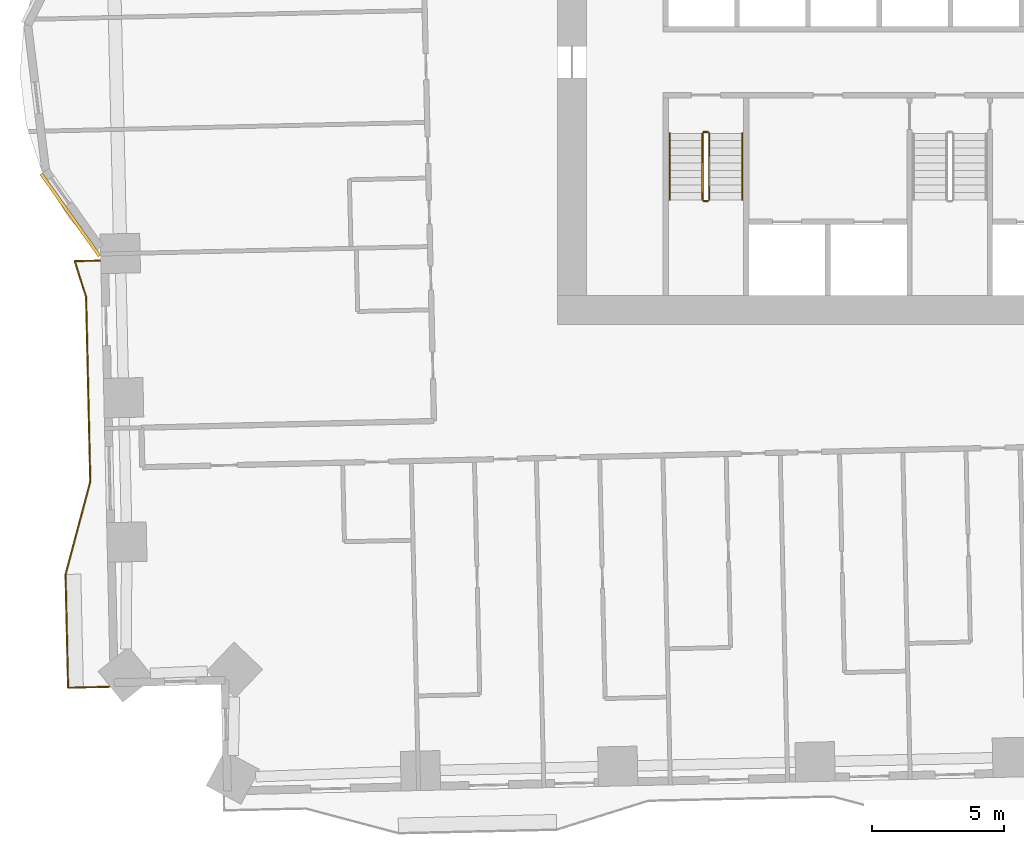
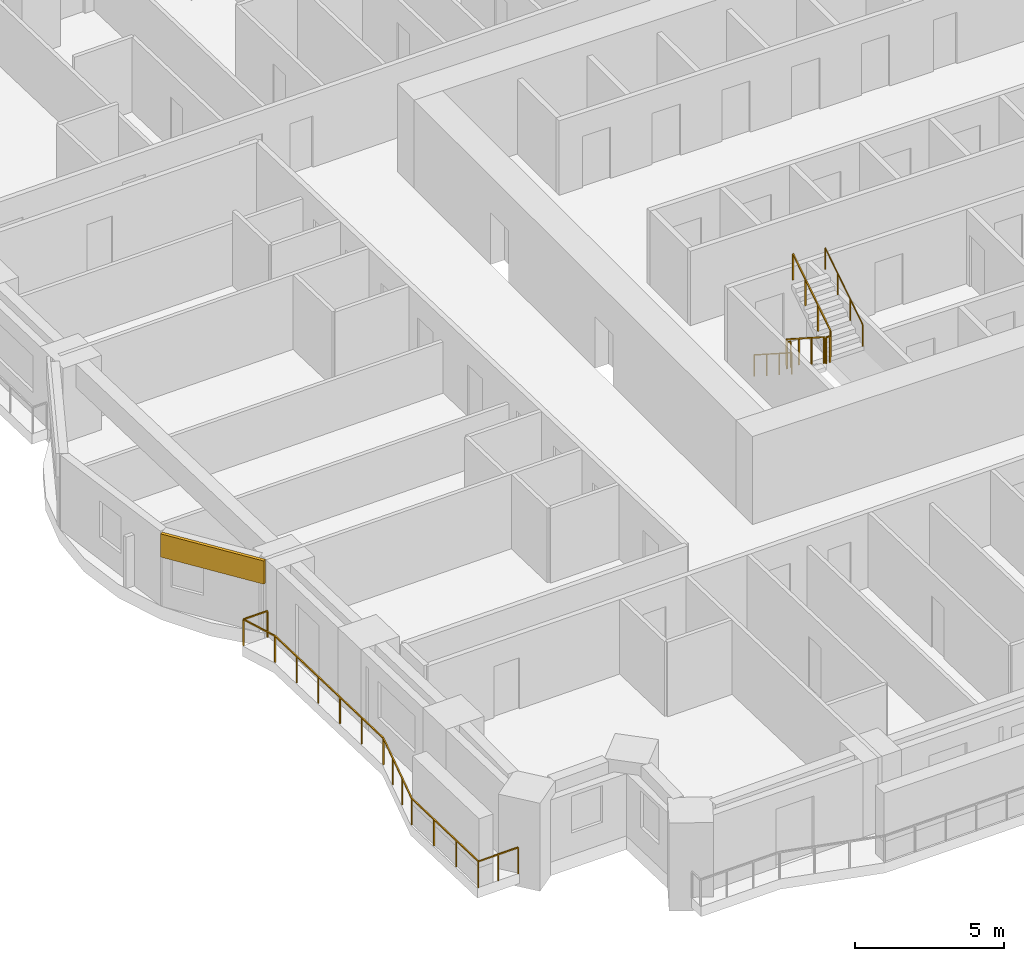
# One storey, part 13 of 16: 7 railings, 1 covering.
"""IFC4 building model written with IfcOpenShell, lengths in metres."""

from ifc_helpers import new_model, si_unit, direction, frame, frame_2d, origin, origin_2d, place, context, subcontext, project, spatial, rectangle, circle, extrude, material, layer, layer_set, type_object, element, save


model = new_model("IFC4")

# Units and contexts
model_context = context("Model", 3, precision=1e-05, world=origin(), true_north=direction((0.0, 1.0)))
body_context = subcontext(model_context, "Body", "Model", "MODEL_VIEW")
ifc_project = project(units=[si_unit("LENGTHUNIT", "METRE"), si_unit("AREAUNIT", "SQUARE_METRE"), si_unit("VOLUMEUNIT", "CUBIC_METRE"), si_unit("PLANEANGLEUNIT", "RADIAN"), si_unit("MASSUNIT", "GRAM", prefix="KILO")], contexts=[model_context])

# Site, building, storey
site_placement = place(None, origin())
site = spatial("IfcSite", under=ifc_project, at=site_placement, CompositionType="ELEMENT")
building_placement = place(site_placement, origin())
building = spatial("IfcBuilding", under=site, at=building_placement, Name="Mangrove Gate Tower", CompositionType="ELEMENT")
storey_placement = place(building_placement, frame((0.0, 0.0, 48.5)))
storey = spatial("IfcBuildingStorey", under=building, at=storey_placement, Name="L11", CompositionType="ELEMENT", Elevation=48.5)

# Railings
ifc_material_1 = material(Name="Stainless steel grade 316 with laminated glass infill", Category="steel")
railing_type_1 = type_object("IfcRailingType", Name="Balcony guard 1100", PredefinedType="GUARDRAIL", material=ifc_material_1)
railing_1_placement = place(storey_placement, frame((-32.27001953125, -9.472900390625, 0.0)))
element("IfcRailing", 1, at=railing_1_placement, inside=storey, type_object=railing_type_1, Name="GUARD L11 W2", PredefinedType="GUARDRAIL", context=body_context, shape_type="SweptSolid", body=[
    extrude(rectangle(XDim=0.048095703125, YDim=0.048095703125, at=origin_2d()), frame((0.0, 0.0, 1.076171875), z_axis=(-0.999724935836, -0.02345320164, 0.0), x_axis=(0.02345320164, -0.999724935836, 0.0)), (0.0, 0.0, 1.0), 0.947265625),
    extrude(rectangle(XDim=0.048095703125, YDim=0.048095703125, at=origin_2d()), frame((-0.947021484375, -0.022216796875, 1.076171875), z_axis=(0.301196667135, -0.953562041876, 0.0), x_axis=(0.953562041876, 0.301196667135, 0.0)), (0.0, 0.0, 1.0), 1.431396484375),
    extrude(rectangle(XDim=0.048095703125, YDim=0.048095703125, at=origin_2d()), frame((-0.515869140625, -1.38720703125, 1.076171875), z_axis=(0.022706351659, -0.999742177561, 0.0), x_axis=(0.999742177561, 0.022706351659, 0.0)), (0.0, 0.0, 1.0), 6.99951171875),
    extrude(rectangle(XDim=0.048095703125, YDim=0.048095703125, at=origin_2d()), frame((-0.35693359375, -8.385009765625, 1.076171875), z_axis=(-0.257354119999, -0.966317161661, 0.0), x_axis=(0.966317161661, -0.257354119999, 0.0)), (0.0, 0.0, 1.0), 3.644775390625),
    extrude(rectangle(XDim=0.048095703125, YDim=0.048095703125, at=origin_2d()), frame((-1.294921875, -11.906982421875, 1.076171875), z_axis=(0.022539561751, -0.999745951808, 0.0), x_axis=(0.999745951808, 0.022539561751, 0.0)), (0.0, 0.0, 1.0), 4.300048828125),
    extrude(rectangle(XDim=0.048095703125, YDim=0.048095703125, at=origin_2d()), frame((-1.197998046875, -16.2060546875, 1.076171875), z_axis=(0.999751249507, 0.022303343008, 0.0), x_axis=(-0.022303343008, 0.999751249507, 0.0)), (0.0, 0.0, 1.0), 1.5654296875),
    extrude(rectangle(XDim=0.0419921875, YDim=0.0419921875, at=origin_2d()), origin(), (0.0, 0.0, 1.0), 1.052001953125),
    extrude(rectangle(XDim=0.0419921875, YDim=0.0419921875, at=origin_2d()), frame((-0.947021484375, -0.022216796875, 0.0)), (0.0, 0.0, 1.0), 1.052001953125),
    extrude(rectangle(XDim=0.0419921875, YDim=0.0419921875, at=origin_2d()), frame((-0.515869140625, -1.38720703125, 0.0)), (0.0, 0.0, 1.0), 1.052001953125),
    extrude(rectangle(XDim=0.0419921875, YDim=0.0419921875, at=origin_2d()), frame((-0.484130859375, -2.786865234375, 0.0)), (0.0, 0.0, 1.0), 1.052001953125),
    extrude(rectangle(XDim=0.0419921875, YDim=0.0419921875, at=origin_2d()), frame((-0.452392578125, -4.186279296875, 0.0)), (0.0, 0.0, 1.0), 1.052001953125),
    extrude(rectangle(XDim=0.0419921875, YDim=0.0419921875, at=origin_2d()), frame((-0.42041015625, -5.5859375, 0.0)), (0.0, 0.0, 1.0), 1.052001953125),
    extrude(rectangle(XDim=0.0419921875, YDim=0.0419921875, at=origin_2d()), frame((-0.388671875, -6.9853515625, 0.0)), (0.0, 0.0, 1.0), 1.052001953125),
    extrude(rectangle(XDim=0.0419921875, YDim=0.0419921875, at=origin_2d()), frame((-0.35693359375, -8.385009765625, 0.0)), (0.0, 0.0, 1.0), 1.052001953125),
    extrude(rectangle(XDim=0.0419921875, YDim=0.0419921875, at=origin_2d()), frame((-0.669677734375, -9.55908203125, 0.0)), (0.0, 0.0, 1.0), 1.052001953125),
    extrude(rectangle(XDim=0.0419921875, YDim=0.0419921875, at=origin_2d()), frame((-0.982177734375, -10.73291015625, 0.0)), (0.0, 0.0, 1.0), 1.052001953125),
    extrude(rectangle(XDim=0.0419921875, YDim=0.0419921875, at=origin_2d()), frame((-1.294921875, -11.906982421875, 0.0)), (0.0, 0.0, 1.0), 1.052001953125),
    extrude(rectangle(XDim=0.0419921875, YDim=0.0419921875, at=origin_2d()), frame((-1.2626953125, -13.340087890625, 0.0)), (0.0, 0.0, 1.0), 1.052001953125),
    extrude(rectangle(XDim=0.0419921875, YDim=0.0419921875, at=origin_2d()), frame((-1.230224609375, -14.77294921875, 0.0)), (0.0, 0.0, 1.0), 1.052001953125),
    extrude(rectangle(XDim=0.0419921875, YDim=0.0419921875, at=origin_2d()), frame((-1.197998046875, -16.2060546875, 0.0)), (0.0, 0.0, 1.0), 1.052001953125),
    extrude(rectangle(XDim=0.0419921875, YDim=0.0419921875, at=origin_2d()), frame((-0.41552734375, -16.1884765625, 0.0)), (0.0, 0.0, 1.0), 1.052001953125),
    extrude(rectangle(XDim=0.0419921875, YDim=0.0419921875, at=origin_2d()), frame((0.366943359375, -16.171142578125, 0.0)), (0.0, 0.0, 1.0), 1.052001953125),
])
ifc_material_2 = material(Name="Stainless steel 316", Category="steel")
railing_type_2 = type_object("IfcRailingType", Name="Core stair guard 1100", PredefinedType="GUARDRAIL", material=ifc_material_2)
railing_2_placement = place(storey_placement, frame((-9.39990234375, -4.64990234375, 0.179931640625)))
element("IfcRailing", 2, at=railing_2_placement, inside=storey, type_object=railing_type_2, Name="L11 ST1 stair guard 1", PredefinedType="GUARDRAIL", context=body_context, shape_type="SweptSolid", body=[
    extrude(rectangle(XDim=0.048095703125, YDim=0.048095703125, at=origin_2d()), frame((0.0, 0.0, 1.076171875), z_axis=(0.0, -0.841162588446, 0.540782303519), x_axis=(1.0, 0.0, 0.0)), (0.0, 0.0, 1.0), 2.995849609375),
    extrude(rectangle(XDim=0.0419921875, YDim=0.0419921875, at=origin_2d()), origin(), (0.0, 0.0, 1.0), 1.052001953125),
    extrude(rectangle(XDim=0.0419921875, YDim=0.0419921875, at=origin_2d()), frame((0.0, -0.840087890625, 0.5400390625)), (0.0, 0.0, 1.0), 1.052001953125),
    extrude(rectangle(XDim=0.0419921875, YDim=0.0419921875, at=origin_2d()), frame((0.0, -1.679931640625, 1.080078125)), (0.0, 0.0, 1.0), 1.052001953125),
    extrude(rectangle(XDim=0.0419921875, YDim=0.0419921875, at=origin_2d()), frame((0.0, -2.52001953125, 1.6201171875)), (0.0, 0.0, 1.0), 1.052001953125),
])
railing_3_placement = place(storey_placement, frame((-9.35009765625, -7.219970703125, 1.800048828125)))
element("IfcRailing", 3, at=railing_3_placement, inside=storey, type_object=railing_type_2, Name="L11 ST1 stair guard 2", PredefinedType="GUARDRAIL", context=body_context, shape_type="SweptSolid", body=[
    extrude(rectangle(XDim=0.048095703125, YDim=0.048095703125, at=origin_2d()), frame((0.0, 0.0, 1.076171875), z_axis=(1.0, 0.0, 0.0), x_axis=(0.0, 1.0, 0.0)), (0.0, 0.0, 1.0), 0.150146484375),
    extrude(rectangle(XDim=0.0419921875, YDim=0.0419921875, at=origin_2d()), origin(), (0.0, 0.0, 1.0), 1.052001953125),
    extrude(rectangle(XDim=0.0419921875, YDim=0.0419921875, at=origin_2d()), frame((0.150146484375, 0.0, 0.0)), (0.0, 0.0, 1.0), 1.052001953125),
])
railing_4_placement = place(storey_placement, frame((-9.14990234375, -7.169921875, 1.97998046875)))
element("IfcRailing", 4, at=railing_4_placement, inside=storey, type_object=railing_type_2, Name="L11 ST1 stair guard 3", PredefinedType="GUARDRAIL", context=body_context, shape_type="SweptSolid", body=[
    extrude(rectangle(XDim=0.048095703125, YDim=0.048095703125, at=origin_2d()), frame((0.0, 0.0, 1.076171875), z_axis=(0.0, 0.841162588446, 0.540782303519), x_axis=(-1.0, 0.0, 0.0)), (0.0, 0.0, 1.0), 2.995849609375),
    extrude(rectangle(XDim=0.0419921875, YDim=0.0419921875, at=origin_2d()), origin(), (0.0, 0.0, 1.0), 1.052001953125),
    extrude(rectangle(XDim=0.0419921875, YDim=0.0419921875, at=origin_2d()), frame((0.0, 0.840087890625, 0.5400390625)), (0.0, 0.0, 1.0), 1.052001953125),
    extrude(rectangle(XDim=0.0419921875, YDim=0.0419921875, at=origin_2d()), frame((0.0, 1.679931640625, 1.080078125)), (0.0, 0.0, 1.0), 1.052001953125),
    extrude(rectangle(XDim=0.0419921875, YDim=0.0419921875, at=origin_2d()), frame((0.0, 2.52001953125, 1.6201171875)), (0.0, 0.0, 1.0), 1.052001953125),
])
railing_5_placement = place(storey_placement, frame((-9.35009765625, -4.60009765625, 0.0)))
element("IfcRailing", 5, at=railing_5_placement, inside=storey, type_object=railing_type_2, Name="L11 ST1 stair guard 4", PredefinedType="GUARDRAIL", context=body_context, shape_type="SweptSolid", body=[
    extrude(rectangle(XDim=0.048095703125, YDim=0.048095703125, at=origin_2d()), frame((0.0, 0.0, 1.076171875), z_axis=(1.0, 0.0, 0.0), x_axis=(0.0, 1.0, 0.0)), (0.0, 0.0, 1.0), 0.150146484375),
    extrude(rectangle(XDim=0.0419921875, YDim=0.0419921875, at=origin_2d()), origin(), (0.0, 0.0, 1.0), 1.052001953125),
    extrude(rectangle(XDim=0.0419921875, YDim=0.0419921875, at=origin_2d()), frame((0.150146484375, 0.0, 0.0)), (0.0, 0.0, 1.0), 1.052001953125),
])
ifc_material_3 = material(Name="Stainless steel 316", Category="steel")
railing_type_3 = type_object("IfcRailingType", Name="Core stair handrail 900", PredefinedType="HANDRAIL", material=ifc_material_3)
railing_6_placement = place(storey_placement, frame((-10.64990234375, -4.64990234375, 0.179931640625)))
element("IfcRailing", 6, at=railing_6_placement, inside=storey, type_object=railing_type_3, Name="L11 ST1 stair handrail 1", PredefinedType="HANDRAIL", context=body_context, shape_type="SweptSolid", body=[
    extrude(circle(Radius=0.02392578125, at=origin_2d()), frame((0.0, 0.0, 0.8759765625), z_axis=(0.0, -0.841162588446, 0.540782303519), x_axis=(1.0, 0.0, 0.0)), (0.0, 0.0, 1.0), 2.995849609375),
    extrude(circle(Radius=0.02099609375, at=origin_2d()), origin(), (0.0, 0.0, 1.0), 0.851806640625),
    extrude(circle(Radius=0.02099609375, at=origin_2d()), frame((0.0, -0.840087890625, 0.5400390625)), (0.0, 0.0, 1.0), 0.851806640625),
    extrude(circle(Radius=0.02099609375, at=origin_2d()), frame((0.0, -1.679931640625, 1.080078125)), (0.0, 0.0, 1.0), 0.851806640625),
    extrude(circle(Radius=0.02099609375, at=origin_2d()), frame((0.0, -2.52001953125, 1.6201171875)), (0.0, 0.0, 1.0), 0.851806640625),
])
railing_7_placement = place(storey_placement, frame((-7.89990234375, -7.169921875, 1.97998046875)))
element("IfcRailing", 7, at=railing_7_placement, inside=storey, type_object=railing_type_3, Name="L11 ST1 stair handrail 2", PredefinedType="HANDRAIL", context=body_context, shape_type="SweptSolid", body=[
    extrude(circle(Radius=0.02392578125, at=origin_2d()), frame((0.0, 0.0, 0.8759765625), z_axis=(0.0, 0.841162588446, 0.540782303519), x_axis=(-1.0, 0.0, 0.0)), (0.0, 0.0, 1.0), 2.995849609375),
    extrude(circle(Radius=0.02099609375, at=origin_2d()), origin(), (0.0, 0.0, 1.0), 0.851806640625),
    extrude(circle(Radius=0.02099609375, at=origin_2d()), frame((0.0, 0.840087890625, 0.5400390625)), (0.0, 0.0, 1.0), 0.851806640625),
    extrude(circle(Radius=0.02099609375, at=origin_2d()), frame((0.0, 1.679931640625, 1.080078125)), (0.0, 0.0, 1.0), 0.851806640625),
    extrude(circle(Radius=0.02099609375, at=origin_2d()), frame((0.0, 2.52001953125, 1.6201171875)), (0.0, 0.0, 1.0), 0.851806640625),
])

# Covering
ifc_material_4 = material(Name="Limestone", Category="masonry")
ifc_layer_1 = layer(ifc_material_4, 0.0400390625, Name="Limestone cladding")
ifc_material_5 = material(Name="Stainless steel anchors and cavity", Category="steel")
ifc_layer_2 = layer(ifc_material_5, 0.080078125, Name="Fixing cavity")
ifc_layer_set = layer_set([ifc_layer_1, ifc_layer_2], Name="Joint fascia cladding 120")
covering_type = type_object("IfcCoveringType", Name="Joint fascia cladding 120", PredefinedType="CLADDING", material=ifc_layer_set)
covering_placement = place(storey_placement, frame((-34.486083984375, -6.18701171875, 2.10009765625), z_axis=(0.0, 0.0, 1.0), x_axis=(0.578168098379, -0.815917673553, 0.0)))
element("IfcCovering", 8, at=covering_placement, inside=storey, type_object=covering_type, Name="STONE FASCIA L11 W9.L2", PredefinedType="CLADDING", context=body_context, shape_type="SweptSolid", body=[
    extrude(rectangle(XDim=3.819091796875, YDim=0.1201171875, at=frame_2d((1.90966796875, 0.0))), origin(), (0.0, 0.0, 1.0), 0.949951171875),
])

save(model, "model.ifc")
